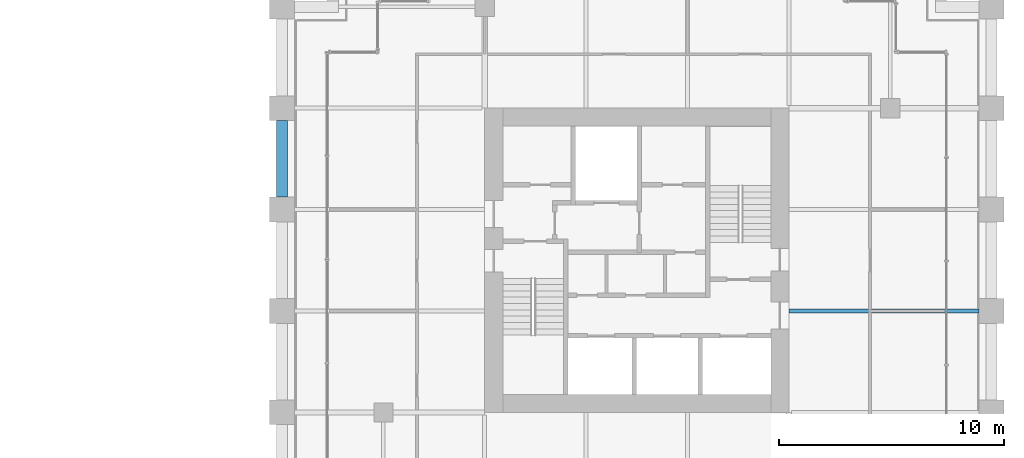
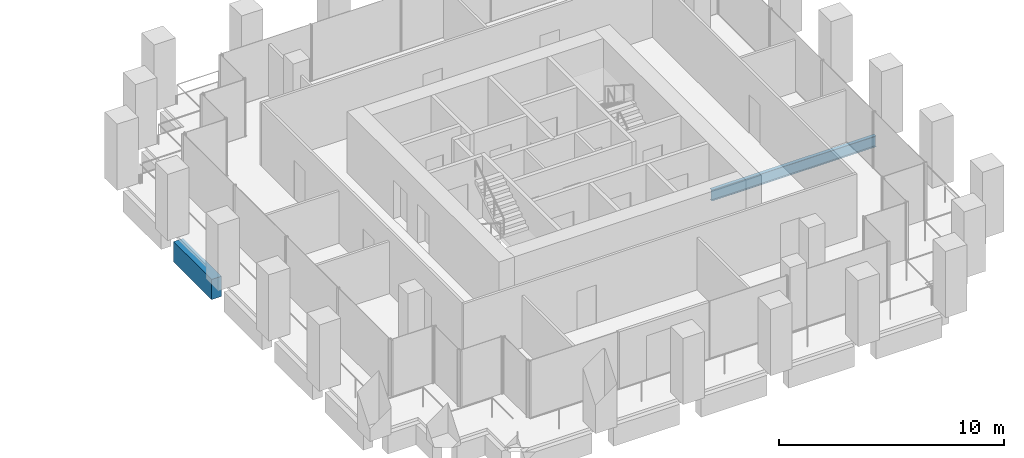
# One storey, part 39 of 56: 2 beams.
"""IFC4 building model written with IfcOpenShell, lengths in metres."""

import ifcopenshell
import ifcopenshell.guid

model = None  # the IFC model being written
_history = None  # IfcOwnerHistory: only IFC2X3 demands one
_inside = {}  # id of a spatial element -> (the spatial element, [elements in it])
_under = {}  # id of a project, library or spatial element -> (it, [spatial elements below it])
_declared = {}  # id of a project -> (the project, [libraries it declares])
_typed = {}  # id of a type object -> (the type object, [elements of that type])
_made_of = {}  # id of a material, layer set ... -> (it, [elements and type objects made of it])


def new_model(schema):
    """Start an empty IFC model of exactly this schema.

    Asked for "IFC4X3", IfcOpenShell would pick the latest addendum, in which some entities
    have other attributes; the version numbers below select the first issue.
    IFC2X3 requires an IfcOwnerHistory on every rooted entity: one is made here for all.
    """
    global model, _history
    if schema == "IFC4X3":
        model = ifcopenshell.file(schema_version=(4, 3, 0, 0))
    else:
        model = ifcopenshell.file(schema=schema)
    _inside.clear()
    _under.clear()
    _declared.clear()
    _typed.clear()
    _made_of.clear()
    _history = None
    if model.schema == "IFC2X3":
        org = make("IfcOrganization", Name="unknown")
        user = make(
            "IfcPersonAndOrganization",
            ThePerson=make("IfcPerson", FamilyName="unknown"),
            TheOrganization=org,
        )
        app = make(
            "IfcApplication",
            ApplicationDeveloper=org,
            Version="unknown",
            ApplicationFullName="unknown",
            ApplicationIdentifier="unknown",
        )
        _history = make(
            "IfcOwnerHistory",
            OwningUser=user,
            OwningApplication=app,
            ChangeAction="ADDED",
            CreationDate=0,
        )
    return model


def make(cls, **values):
    """One entity of the class cls with the attributes given. An attribute that is None is left unset."""
    return model.create_entity(
        cls, **{name: value for name, value in values.items() if value is not None}
    )


def rooted(cls, **values):
    """An entity with a GlobalId (a new one), such as an element, a storey or a relation."""
    return make(cls, GlobalId=ifcopenshell.guid.new(), OwnerHistory=_history, **values)


def si_unit(unit_type, name, prefix=None):
    """IfcSIUnit, for example si_unit("LENGTHUNIT", "METRE", prefix="MILLI")."""
    return make("IfcSIUnit", UnitType=unit_type, Prefix=prefix, Name=name)


def assignment(units):
    """IfcUnitAssignment: the units of a project."""
    return None if units is None else make("IfcUnitAssignment", Units=units)


def point(xyz):
    """IfcCartesianPoint."""
    return None if xyz is None else make("IfcCartesianPoint", Coordinates=xyz)


def direction(xyz):
    """IfcDirection."""
    return None if xyz is None else make("IfcDirection", DirectionRatios=xyz)


def frame(location, z_axis=None, x_axis=None):
    """IfcAxis2Placement3D, a coordinate frame: its origin and axes. An axis left out is left unset."""
    return make(
        "IfcAxis2Placement3D",
        Location=point(location),
        Axis=direction(z_axis),
        RefDirection=direction(x_axis),
    )


def frame_2d(location, x_axis=None):
    """IfcAxis2Placement2D, a coordinate frame in the plane: its origin and x axis."""
    return make(
        "IfcAxis2Placement2D", Location=point(location), RefDirection=direction(x_axis)
    )


def origin():
    """The frame at (0, 0, 0) with its axes left unset."""
    return frame((0.0, 0.0, 0.0))


def origin_2d():
    """The frame at (0, 0) in the plane with its x axis left unset."""
    return frame_2d((0.0, 0.0))


def place(relative_to, where):
    """IfcLocalPlacement: puts the frame where relative to a parent placement (None: the world)."""
    return make(
        "IfcLocalPlacement", PlacementRelTo=relative_to, RelativePlacement=where
    )


def context(
    kind, dimensions, precision=None, world=None, true_north=None, identifier=None
):
    """IfcGeometricRepresentationContext, for example the 3D "Model" context."""
    return make(
        "IfcGeometricRepresentationContext",
        ContextIdentifier=identifier,
        ContextType=kind,
        CoordinateSpaceDimension=dimensions,
        Precision=precision,
        WorldCoordinateSystem=world,
        TrueNorth=true_north,
    )


def subcontext(parent, identifier, kind, view, scale=None):
    """IfcGeometricRepresentationSubContext, for example "Body" below "Model"."""
    return make(
        "IfcGeometricRepresentationSubContext",
        ContextIdentifier=identifier,
        ContextType=kind,
        ParentContext=parent,
        TargetScale=scale,
        TargetView=view,
    )


def project(units=None, contexts=None):
    """IfcProject with its units and contexts."""
    return rooted(
        "IfcProject",
        Name="project",
        RepresentationContexts=contexts,
        UnitsInContext=assignment(units),
    )


def spatial(cls, under=None, at=None, **own):
    """A site, building, storey or space (cls), placed at a placement, below another one or the project."""
    s = rooted(cls, ObjectPlacement=at, **own)
    if under is not None:
        _under.setdefault(under.id(), (under, []))[1].append(s)
    return s


def profile(cls, at=None, kind="AREA", **sizes):
    """A parametric profile (cls). Its sizes go by their IFC names, for example OverallWidth=200.0."""
    return make(cls, ProfileType=kind, Position=at, **sizes)


def rectangle(**sizes):
    """IfcRectangleProfileDef."""
    return profile("IfcRectangleProfileDef", **sizes)


def i_section(**sizes):
    """IfcIShapeProfileDef."""
    return profile("IfcIShapeProfileDef", **sizes)


def extrude(swept, where, along, depth):
    """IfcExtrudedAreaSolid: the profile swept, set in the frame where, extruded along a direction by depth."""
    return make(
        "IfcExtrudedAreaSolid",
        SweptArea=swept,
        Position=where,
        ExtrudedDirection=direction(along),
        Depth=depth,
    )


def shape(context_of_items, identifier, shape_type, items):
    """IfcShapeRepresentation: the items that make up one representation, for example the "Body"."""
    return make(
        "IfcShapeRepresentation",
        ContextOfItems=context_of_items,
        RepresentationIdentifier=identifier,
        RepresentationType=shape_type,
        Items=items,
    )


def material(Name=None, Category=None):
    """IfcMaterial."""
    return make("IfcMaterial", Name=Name, Category=Category)


def material_profile(
    of_material, cross_section, Name=None, Category=None, Priority=None
):
    """IfcMaterialProfile: a cross section and its material."""
    return make(
        "IfcMaterialProfile",
        Name=Name,
        Material=of_material,
        Profile=cross_section,
        Priority=Priority,
        Category=Category,
    )


def profile_set(profiles, Name=None, composite=None):
    """IfcMaterialProfileSet."""
    return make(
        "IfcMaterialProfileSet",
        Name=Name,
        MaterialProfiles=profiles,
        CompositeProfile=composite,
    )


def made_of(thing, what):
    """Note that an element or type object is made of a material, layer set ...; save() writes the relation."""
    if what is not None:
        _made_of.setdefault(what.id(), (what, []))[1].append(thing)
    return thing


def type_object(cls, material=None, **own):
    """A type object (cls), such as IfcWallType, which elements share."""
    return made_of(rooted(cls, **own), material)


def element(
    cls,
    number,
    at=None,
    inside=None,
    cuts=None,
    type_object=None,
    material=None,
    context=None,
    identifier="Body",
    shape_type=None,
    held_by="IfcProductDefinitionShape",
    body=None,
    shapes=None,
    **own,
):
    """One element of the class cls, such as IfcWall. Its Tag is "e" and its number.

    at: its placement. inside: the storey or other place that contains it. cuts: it is an
    opening in that element (IfcRelVoidsElement). A single representation is given by context,
    identifier, shape_type and body (its items); several are given by shapes. held_by: the class
    of the entity that holds the representations. save() writes the other relations.
    """
    e = rooted(cls, Tag="e%d" % number, ObjectPlacement=at, **own)
    if body is not None:
        shapes = [shape(context, identifier, shape_type, body)]
    if shapes is not None:
        e.Representation = make(held_by, Representations=shapes)
    if inside is not None:
        _inside.setdefault(inside.id(), (inside, []))[1].append(e)
    if cuts is not None:
        rooted(
            "IfcRelVoidsElement", RelatingBuildingElement=cuts, RelatedOpeningElement=e
        )
    if type_object is not None:
        _typed.setdefault(type_object.id(), (type_object, []))[1].append(e)
    return made_of(e, material)


def aggregate(whole, parts):
    """IfcRelAggregates: a whole, such as a stair, and the parts it consists of."""
    return rooted("IfcRelAggregates", RelatingObject=whole, RelatedObjects=parts)


def save(model, path):
    """Write the relations noted so far, then the file.

    IfcRelAggregates (storeys below a building ...), IfcRelContainedInSpatialStructure (elements
    in a storey), IfcRelDefinesByType, IfcRelAssociatesMaterial and IfcRelDeclares: one each for
    every whole, place, type object, material and project.
    """
    for whole, parts in _under.values():
        aggregate(whole, parts)
    for where, things in _inside.values():
        rooted(
            "IfcRelContainedInSpatialStructure",
            RelatedElements=things,
            RelatingStructure=where,
        )
    for kind, things in _typed.values():
        rooted("IfcRelDefinesByType", RelatedObjects=things, RelatingType=kind)
    for what, things in _made_of.values():
        rooted("IfcRelAssociatesMaterial", RelatedObjects=things, RelatingMaterial=what)
    for by, libraries in _declared.values():
        rooted("IfcRelDeclares", RelatingContext=by, RelatedDefinitions=libraries)
    model.write(path)


model = new_model("IFC4")

# Units and contexts
model_context = context("Model", 3, precision=1e-05, world=origin(), true_north=direction((0.0, 1.0)))
body_context = subcontext(model_context, "Body", "Model", "MODEL_VIEW")
ifc_project = project(units=[si_unit("LENGTHUNIT", "METRE"), si_unit("AREAUNIT", "SQUARE_METRE"), si_unit("VOLUMEUNIT", "CUBIC_METRE"), si_unit("PLANEANGLEUNIT", "RADIAN"), si_unit("MASSUNIT", "GRAM", prefix="KILO")], contexts=[model_context])

# Site, building, storey
site_placement = place(None, origin())
site = spatial("IfcSite", under=ifc_project, at=site_placement, CompositionType="ELEMENT")
building_placement = place(site_placement, origin())
building = spatial("IfcBuilding", under=site, at=building_placement, Name="Altepetl Exchange Towers", CompositionType="ELEMENT")
storey_placement = place(building_placement, frame((0.0, 0.0, 76.199951171875)))
storey = spatial("IfcBuildingStorey", under=building, at=storey_placement, Name="L18", CompositionType="ELEMENT", Elevation=76.199951171875)

# Beams
ifc_material_1 = material(Name="Steel S355", Category="steel")
ifc_material_profile_1 = material_profile(ifc_material_1, i_section(OverallWidth=0.177978515625, OverallDepth=0.59912109375, WebThickness=0.010009765625, FlangeThickness=0.0126953125, at=origin_2d()), Name="W24X55")
ifc_profile_set_1 = profile_set([ifc_material_profile_1], Name="Steel S355")
beam_type_1 = type_object("IfcBeamType", Name="Floor beam W24X55", PredefinedType="BEAM", material=ifc_profile_set_1)
beam_1_placement = place(storey_placement, frame((117.0, 40.5, -0.449462890625), z_axis=(1.0, 0.0, 0.0), x_axis=(0.0, 1.0, 0.0)))
element("IfcBeam", 1, at=beam_1_placement, inside=storey, type_object=beam_type_1, Name="bm:B:L18:006", PredefinedType="BEAM", context=body_context, shape_type="SweptSolid", body=[
    extrude(i_section(OverallWidth=0.177978515625, OverallDepth=0.59912109375, WebThickness=0.010009765625, FlangeThickness=0.0126953125, at=origin_2d()), origin(), (0.0, 0.0, 1.0), 8.449951171875),
])
ifc_material_2 = material(Name="Concrete C50/60 precast with cantera rosa facing", Category="concrete")
ifc_material_profile_2 = material_profile(ifc_material_2, rectangle(XDim=0.5, YDim=1.10009765625, at=origin_2d()), Name="500 x 1100")
ifc_profile_set_2 = profile_set([ifc_material_profile_2], Name="Concrete C50/60 precast with cantera rosa facing")
beam_type_2 = type_object("IfcBeamType", Name="Spandrel beam 500x1100 cantera rosa", PredefinedType="SPANDREL", material=ifc_profile_set_2)
beam_2_placement = place(storey_placement, frame((94.5, 48.949951171875, -0.699951171875), z_axis=(0.0, -1.0, 0.0), x_axis=(1.0, 0.0, 0.0)))
element("IfcBeam", 2, at=beam_2_placement, inside=storey, type_object=beam_type_2, Name="sp:B:L18:028", PredefinedType="SPANDREL", context=body_context, shape_type="SweptSolid", body=[
    extrude(rectangle(XDim=0.5, YDim=1.10009765625, at=origin_2d()), origin(), (0.0, 0.0, 1.0), 3.39990234375),
])

save(model, "model.ifc")
